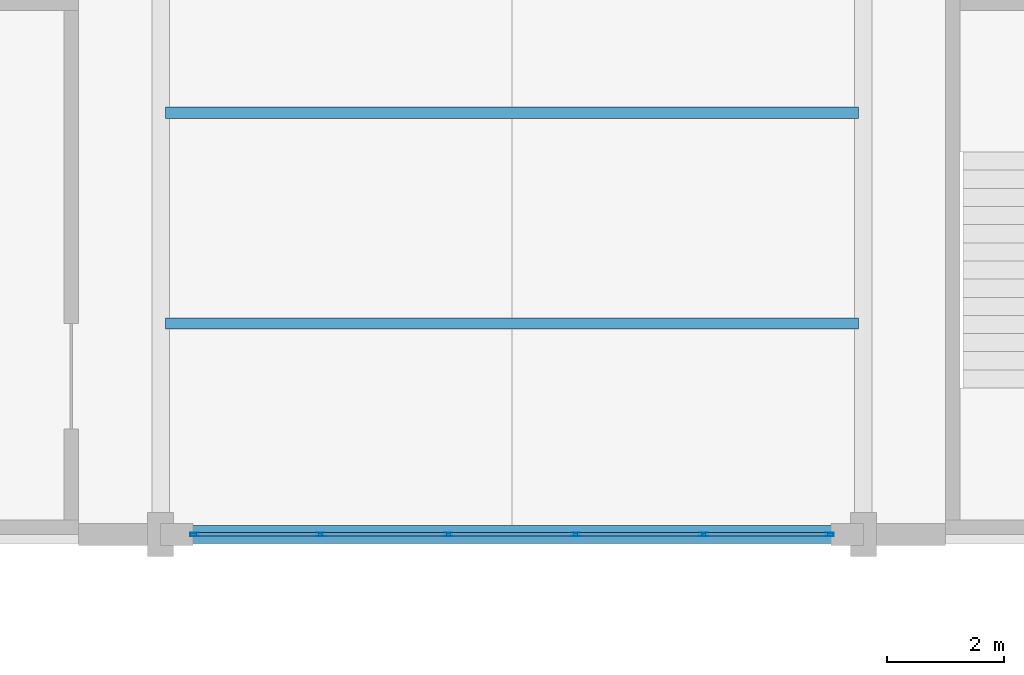
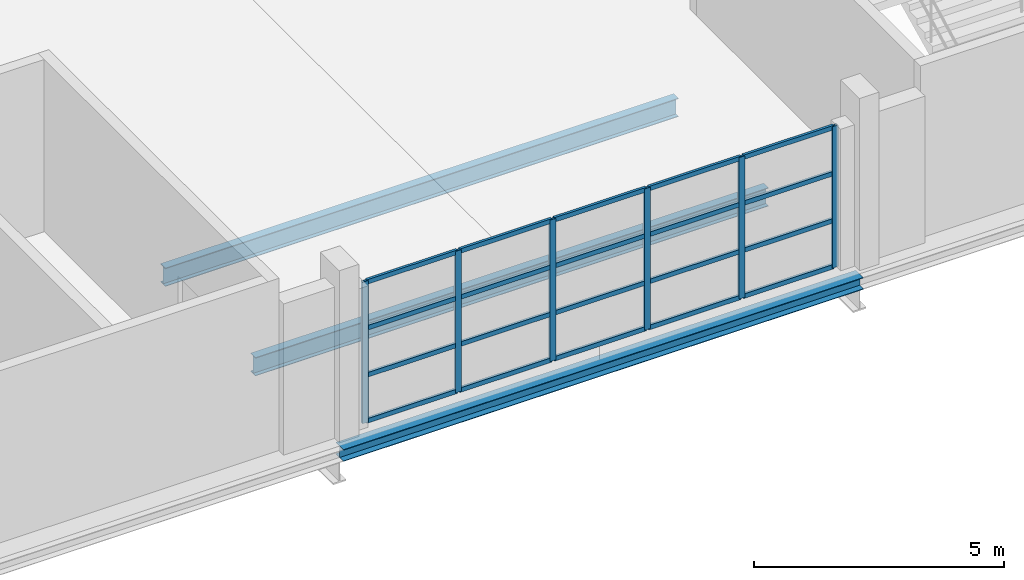
# One storey, part 91 of 147: 26 members, 3 beams, 1 element without a shape of its own.
"""IFC4 building model written with IfcOpenShell, lengths in metres."""

from ifc_helpers import new_model, si_unit, direction, frame, origin, origin_2d, place, context, subcontext, project, spatial, hollow_rectangle, i_section, extrude, material, layer, layer_set, material_profile, profile_set, type_object, element, aggregate, save


model = new_model("IFC4")

# Units and contexts
model_context = context("Model", 3, precision=1e-05, world=origin(), true_north=direction((0.0, 1.0)))
body_context = subcontext(model_context, "Body", "Model", "MODEL_VIEW")
ifc_project = project(units=[si_unit("LENGTHUNIT", "METRE"), si_unit("AREAUNIT", "SQUARE_METRE"), si_unit("VOLUMEUNIT", "CUBIC_METRE"), si_unit("PLANEANGLEUNIT", "RADIAN"), si_unit("MASSUNIT", "GRAM", prefix="KILO")], contexts=[model_context])

# Site, building, storey
site_placement = place(None, origin())
site = spatial("IfcSite", under=ifc_project, at=site_placement, CompositionType="ELEMENT")
building_placement = place(site_placement, origin())
building = spatial("IfcBuilding", under=site, at=building_placement, Name="Zilviju Railside Exhibition Hall", CompositionType="ELEMENT")
storey_placement = place(building_placement, frame((0.0, 0.0, 8.39990234375)))
storey = spatial("IfcBuildingStorey", under=building, at=storey_placement, Name="L03", CompositionType="ELEMENT", Elevation=8.39990234375)

# Beams
ifc_material_1 = material(Name="Steel S355J2", Category="steel")
ifc_material_profile_1 = material_profile(ifc_material_1, i_section(OverallWidth=0.300048828125, OverallDepth=0.2900390625, WebThickness=0.008544921875, FlangeThickness=0.013916015625, at=origin_2d()), Name="HEA 300")
ifc_profile_set_1 = profile_set([ifc_material_profile_1], Name="Steel S355J2")
beam_type_1 = type_object("IfcBeamType", Name="BM-HEA300", PredefinedType="SPANDREL", material=ifc_profile_set_1)
beam_placement = place(storey_placement, frame((144.0, 84.0, -0.52490234375), z_axis=(1.0, 0.0, 0.0), x_axis=(0.0, 1.0, 0.0)))
element("IfcBeam", 1, at=beam_placement, inside=storey, type_object=beam_type_1, Name="Primary Girder L03 Y=84.0 (144.0..156.0)", PredefinedType="SPANDREL", context=body_context, shape_type="SweptSolid", body=[
    extrude(i_section(OverallWidth=0.300048828125, OverallDepth=0.2900390625, WebThickness=0.008544921875, FlangeThickness=0.013916015625, at=origin_2d()), origin(), (0.0, 0.0, 1.0), 12.0),
])
ifc_material_profile_2 = material_profile(ifc_material_1, i_section(OverallWidth=0.18994140625, OverallDepth=0.449951171875, WebThickness=0.009521484375, FlangeThickness=0.0146484375, at=origin_2d()), Name="IPE 450")
ifc_profile_set_2 = profile_set([ifc_material_profile_2], Name="Steel S355J2")
beam_type_2 = type_object("IfcBeamType", Name="BM-IPE450", PredefinedType="JOIST", material=ifc_profile_set_2)
for number, where, z_axis, x_axis, name in (
    (2, (144.080078125, 87.60009765625, -0.60498046875), (1.0, 0.0, 0.0), (0.0, 1.0, 0.0), "Composite Floor Joist L03 Y=87.60 (144.0..156.0)"),
    (3, (144.080078125, 91.199951171875, -0.60498046875), (1.0, 0.0, 0.0), (0.0, 1.0, 0.0), "Composite Floor Joist L03 Y=91.20 (144.0..156.0)"),
):
    element("IfcBeam", number, at=place(storey_placement, frame(where, z_axis=z_axis, x_axis=x_axis)), inside=storey, type_object=beam_type_2, Name=name, PredefinedType="JOIST", context=body_context, shape_type="SweptSolid", body=[
        extrude(i_section(OverallWidth=0.18994140625, OverallDepth=0.449951171875, WebThickness=0.009521484375, FlangeThickness=0.0146484375, at=origin_2d()), origin(), (0.0, 0.0, 1.0), 11.83984375),
    ])

# Curtain wall, members
ifc_material_2 = material(Name="Thermally broken aluminium-steel triple-glazed curtain wall", Category="steel")
ifc_layer = layer(ifc_material_2, 0.179931640625)
ifc_layer_set = layer_set([ifc_layer], Name="Thermally broken aluminium-steel triple-glazed curtain wall")
curtain_wall_type = type_object("IfcCurtainWallType", Name="CW-BAY-01", PredefinedType="USERDEFINED", material=ifc_layer_set)
curtain_wall_placement = place(storey_placement, origin())
curtain_wall = element("IfcCurtainWall", 4, at=curtain_wall_placement, inside=storey, type_object=curtain_wall_type, Name="North Hall Garden Court Curtain Wall L03 (144..156)", ObjectType="GLAZED CURTAIN WALL", PredefinedType="USERDEFINED")
ifc_material_3 = material(Name="Thermally broken anodized aluminium mullion", Category="aluminium")
ifc_material_profile_3 = material_profile(ifc_material_3, hollow_rectangle(XDim=0.06005859375, YDim=0.139892578125, WallThickness=0.0048828125, at=origin_2d()), Name="MULLION 140x60x5")
ifc_profile_set_3 = profile_set([ifc_material_profile_3], Name="Thermally broken anodized aluminium mullion")
member_type_1 = type_object("IfcMemberType", Name="CWM-60x140", PredefinedType="MULLION", material=ifc_profile_set_3)
member_1_placement = place(storey_placement, frame((155.419921875, 84.0, 0.0), z_axis=(0.0, 0.0, 1.0), x_axis=(0.0, -1.0, 0.0)))
member_1 = element("IfcMember", 5, at=member_1_placement, type_object=member_type_1, Name="CW-01 mullion 1", PredefinedType="MULLION", context=body_context, shape_type="SweptSolid", body=[
    extrude(hollow_rectangle(XDim=0.06005859375, YDim=0.139892578125, WallThickness=0.0048828125, at=origin_2d()), origin(), (0.0, 0.0, 1.0), 3.4501953125),
])
member_2_placement = place(storey_placement, frame((153.27001953125, 84.0, 0.0), z_axis=(0.0, 0.0, 1.0), x_axis=(0.0, -1.0, 0.0)))
member_2 = element("IfcMember", 6, at=member_2_placement, type_object=member_type_1, Name="CW-01 mullion 2", PredefinedType="MULLION", context=body_context, shape_type="SweptSolid", body=[
    extrude(hollow_rectangle(XDim=0.06005859375, YDim=0.139892578125, WallThickness=0.0048828125, at=origin_2d()), origin(), (0.0, 0.0, 1.0), 3.4501953125),
])
member_3_placement = place(storey_placement, frame((151.090087890625, 84.0, 0.0), z_axis=(0.0, 0.0, 1.0), x_axis=(0.0, -1.0, 0.0)))
member_3 = element("IfcMember", 7, at=member_3_placement, type_object=member_type_1, Name="CW-01 mullion 3", PredefinedType="MULLION", context=body_context, shape_type="SweptSolid", body=[
    extrude(hollow_rectangle(XDim=0.06005859375, YDim=0.139892578125, WallThickness=0.0048828125, at=origin_2d()), origin(), (0.0, 0.0, 1.0), 3.4501953125),
])
member_4_placement = place(storey_placement, frame((148.909912109375, 84.0, 0.0), z_axis=(0.0, 0.0, 1.0), x_axis=(0.0, -1.0, 0.0)))
member_4 = element("IfcMember", 8, at=member_4_placement, type_object=member_type_1, Name="CW-01 mullion 4", PredefinedType="MULLION", context=body_context, shape_type="SweptSolid", body=[
    extrude(hollow_rectangle(XDim=0.06005859375, YDim=0.139892578125, WallThickness=0.0048828125, at=origin_2d()), origin(), (0.0, 0.0, 1.0), 3.4501953125),
])
member_5_placement = place(storey_placement, frame((146.72998046875, 84.0, 0.0), z_axis=(0.0, 0.0, 1.0), x_axis=(0.0, -1.0, 0.0)))
member_5 = element("IfcMember", 9, at=member_5_placement, type_object=member_type_1, Name="CW-01 mullion 5", PredefinedType="MULLION", context=body_context, shape_type="SweptSolid", body=[
    extrude(hollow_rectangle(XDim=0.06005859375, YDim=0.139892578125, WallThickness=0.0048828125, at=origin_2d()), origin(), (0.0, 0.0, 1.0), 3.4501953125),
])
member_6_placement = place(storey_placement, frame((144.580078125, 84.0, 0.0), z_axis=(0.0, 0.0, 1.0), x_axis=(0.0, -1.0, 0.0)))
member_6 = element("IfcMember", 10, at=member_6_placement, type_object=member_type_1, Name="CW-01 mullion 6", PredefinedType="MULLION", context=body_context, shape_type="SweptSolid", body=[
    extrude(hollow_rectangle(XDim=0.06005859375, YDim=0.139892578125, WallThickness=0.0048828125, at=origin_2d()), origin(), (0.0, 0.0, 1.0), 3.4501953125),
])
ifc_material_4 = material(Name="Thermally broken anodized aluminium transom", Category="aluminium")
ifc_material_profile_4 = material_profile(ifc_material_4, hollow_rectangle(XDim=0.06005859375, YDim=0.110107421875, WallThickness=0.0048828125, at=origin_2d()), Name="TRANSOM 110x60x5")
ifc_profile_set_4 = profile_set([ifc_material_profile_4], Name="Thermally broken anodized aluminium transom")
member_type_2 = type_object("IfcMemberType", Name="CWT-60x110", PredefinedType="USERDEFINED", material=ifc_profile_set_4)
member_7_placement = place(storey_placement, frame((155.389892578125, 84.0, 0.030029296875), z_axis=(-1.0, 0.0, 0.0), x_axis=(0.0, -1.0, 0.0)))
member_7 = element("IfcMember", 11, at=member_7_placement, type_object=member_type_2, Name="CW-01 transom 1.1", ObjectType="TRANSOM", PredefinedType="USERDEFINED", context=body_context, shape_type="SweptSolid", body=[
    extrude(hollow_rectangle(XDim=0.06005859375, YDim=0.110107421875, WallThickness=0.0048828125, at=origin_2d()), origin(), (0.0, 0.0, 1.0), 2.08984375),
])
member_8_placement = place(storey_placement, frame((155.389892578125, 84.0, 1.150146484375), z_axis=(-1.0, 0.0, 0.0), x_axis=(0.0, -1.0, 0.0)))
member_8 = element("IfcMember", 12, at=member_8_placement, type_object=member_type_2, Name="CW-01 transom 1.2", ObjectType="TRANSOM", PredefinedType="USERDEFINED", context=body_context, shape_type="SweptSolid", body=[
    extrude(hollow_rectangle(XDim=0.06005859375, YDim=0.110107421875, WallThickness=0.0048828125, at=origin_2d()), origin(), (0.0, 0.0, 1.0), 2.08984375),
])
member_9_placement = place(storey_placement, frame((155.389892578125, 84.0, 2.300048828125), z_axis=(-1.0, 0.0, 0.0), x_axis=(0.0, -1.0, 0.0)))
member_9 = element("IfcMember", 13, at=member_9_placement, type_object=member_type_2, Name="CW-01 transom 1.3", ObjectType="TRANSOM", PredefinedType="USERDEFINED", context=body_context, shape_type="SweptSolid", body=[
    extrude(hollow_rectangle(XDim=0.06005859375, YDim=0.110107421875, WallThickness=0.0048828125, at=origin_2d()), origin(), (0.0, 0.0, 1.0), 2.08984375),
])
member_10_placement = place(storey_placement, frame((155.389892578125, 84.0, 3.420166015625), z_axis=(-1.0, 0.0, 0.0), x_axis=(0.0, -1.0, 0.0)))
member_10 = element("IfcMember", 14, at=member_10_placement, type_object=member_type_2, Name="CW-01 transom 1.4", ObjectType="TRANSOM", PredefinedType="USERDEFINED", context=body_context, shape_type="SweptSolid", body=[
    extrude(hollow_rectangle(XDim=0.06005859375, YDim=0.110107421875, WallThickness=0.0048828125, at=origin_2d()), origin(), (0.0, 0.0, 1.0), 2.08984375),
])
member_11_placement = place(storey_placement, frame((153.239990234375, 84.0, 0.030029296875), z_axis=(-1.0, 0.0, 0.0), x_axis=(0.0, -1.0, 0.0)))
member_11 = element("IfcMember", 15, at=member_11_placement, type_object=member_type_2, Name="CW-01 transom 2.1", ObjectType="TRANSOM", PredefinedType="USERDEFINED", context=body_context, shape_type="SweptSolid", body=[
    extrude(hollow_rectangle(XDim=0.06005859375, YDim=0.110107421875, WallThickness=0.0048828125, at=origin_2d()), origin(), (0.0, 0.0, 1.0), 2.119873046875),
])
member_12_placement = place(storey_placement, frame((153.239990234375, 84.0, 1.150146484375), z_axis=(-1.0, 0.0, 0.0), x_axis=(0.0, -1.0, 0.0)))
member_12 = element("IfcMember", 16, at=member_12_placement, type_object=member_type_2, Name="CW-01 transom 2.2", ObjectType="TRANSOM", PredefinedType="USERDEFINED", context=body_context, shape_type="SweptSolid", body=[
    extrude(hollow_rectangle(XDim=0.06005859375, YDim=0.110107421875, WallThickness=0.0048828125, at=origin_2d()), origin(), (0.0, 0.0, 1.0), 2.119873046875),
])
member_13_placement = place(storey_placement, frame((153.239990234375, 84.0, 2.300048828125), z_axis=(-1.0, 0.0, 0.0), x_axis=(0.0, -1.0, 0.0)))
member_13 = element("IfcMember", 17, at=member_13_placement, type_object=member_type_2, Name="CW-01 transom 2.3", ObjectType="TRANSOM", PredefinedType="USERDEFINED", context=body_context, shape_type="SweptSolid", body=[
    extrude(hollow_rectangle(XDim=0.06005859375, YDim=0.110107421875, WallThickness=0.0048828125, at=origin_2d()), origin(), (0.0, 0.0, 1.0), 2.119873046875),
])
member_14_placement = place(storey_placement, frame((153.239990234375, 84.0, 3.420166015625), z_axis=(-1.0, 0.0, 0.0), x_axis=(0.0, -1.0, 0.0)))
member_14 = element("IfcMember", 18, at=member_14_placement, type_object=member_type_2, Name="CW-01 transom 2.4", ObjectType="TRANSOM", PredefinedType="USERDEFINED", context=body_context, shape_type="SweptSolid", body=[
    extrude(hollow_rectangle(XDim=0.06005859375, YDim=0.110107421875, WallThickness=0.0048828125, at=origin_2d()), origin(), (0.0, 0.0, 1.0), 2.119873046875),
])
member_15_placement = place(storey_placement, frame((151.06005859375, 84.0, 0.030029296875), z_axis=(-1.0, 0.0, 0.0), x_axis=(0.0, -1.0, 0.0)))
member_15 = element("IfcMember", 19, at=member_15_placement, type_object=member_type_2, Name="CW-01 transom 3.1", ObjectType="TRANSOM", PredefinedType="USERDEFINED", context=body_context, shape_type="SweptSolid", body=[
    extrude(hollow_rectangle(XDim=0.06005859375, YDim=0.110107421875, WallThickness=0.0048828125, at=origin_2d()), origin(), (0.0, 0.0, 1.0), 2.1201171875),
])
member_16_placement = place(storey_placement, frame((151.06005859375, 84.0, 1.150146484375), z_axis=(-1.0, 0.0, 0.0), x_axis=(0.0, -1.0, 0.0)))
member_16 = element("IfcMember", 20, at=member_16_placement, type_object=member_type_2, Name="CW-01 transom 3.2", ObjectType="TRANSOM", PredefinedType="USERDEFINED", context=body_context, shape_type="SweptSolid", body=[
    extrude(hollow_rectangle(XDim=0.06005859375, YDim=0.110107421875, WallThickness=0.0048828125, at=origin_2d()), origin(), (0.0, 0.0, 1.0), 2.1201171875),
])
member_17_placement = place(storey_placement, frame((151.06005859375, 84.0, 2.300048828125), z_axis=(-1.0, 0.0, 0.0), x_axis=(0.0, -1.0, 0.0)))
member_17 = element("IfcMember", 21, at=member_17_placement, type_object=member_type_2, Name="CW-01 transom 3.3", ObjectType="TRANSOM", PredefinedType="USERDEFINED", context=body_context, shape_type="SweptSolid", body=[
    extrude(hollow_rectangle(XDim=0.06005859375, YDim=0.110107421875, WallThickness=0.0048828125, at=origin_2d()), origin(), (0.0, 0.0, 1.0), 2.1201171875),
])
member_18_placement = place(storey_placement, frame((151.06005859375, 84.0, 3.420166015625), z_axis=(-1.0, 0.0, 0.0), x_axis=(0.0, -1.0, 0.0)))
member_18 = element("IfcMember", 22, at=member_18_placement, type_object=member_type_2, Name="CW-01 transom 3.4", ObjectType="TRANSOM", PredefinedType="USERDEFINED", context=body_context, shape_type="SweptSolid", body=[
    extrude(hollow_rectangle(XDim=0.06005859375, YDim=0.110107421875, WallThickness=0.0048828125, at=origin_2d()), origin(), (0.0, 0.0, 1.0), 2.1201171875),
])
member_19_placement = place(storey_placement, frame((148.8798828125, 84.0, 0.030029296875), z_axis=(-1.0, 0.0, 0.0), x_axis=(0.0, -1.0, 0.0)))
member_19 = element("IfcMember", 23, at=member_19_placement, type_object=member_type_2, Name="CW-01 transom 4.1", ObjectType="TRANSOM", PredefinedType="USERDEFINED", context=body_context, shape_type="SweptSolid", body=[
    extrude(hollow_rectangle(XDim=0.06005859375, YDim=0.110107421875, WallThickness=0.0048828125, at=origin_2d()), origin(), (0.0, 0.0, 1.0), 2.119873046875),
])
member_20_placement = place(storey_placement, frame((148.8798828125, 84.0, 1.150146484375), z_axis=(-1.0, 0.0, 0.0), x_axis=(0.0, -1.0, 0.0)))
member_20 = element("IfcMember", 24, at=member_20_placement, type_object=member_type_2, Name="CW-01 transom 4.2", ObjectType="TRANSOM", PredefinedType="USERDEFINED", context=body_context, shape_type="SweptSolid", body=[
    extrude(hollow_rectangle(XDim=0.06005859375, YDim=0.110107421875, WallThickness=0.0048828125, at=origin_2d()), origin(), (0.0, 0.0, 1.0), 2.119873046875),
])
member_21_placement = place(storey_placement, frame((148.8798828125, 84.0, 2.300048828125), z_axis=(-1.0, 0.0, 0.0), x_axis=(0.0, -1.0, 0.0)))
member_21 = element("IfcMember", 25, at=member_21_placement, type_object=member_type_2, Name="CW-01 transom 4.3", ObjectType="TRANSOM", PredefinedType="USERDEFINED", context=body_context, shape_type="SweptSolid", body=[
    extrude(hollow_rectangle(XDim=0.06005859375, YDim=0.110107421875, WallThickness=0.0048828125, at=origin_2d()), origin(), (0.0, 0.0, 1.0), 2.119873046875),
])
member_22_placement = place(storey_placement, frame((148.8798828125, 84.0, 3.420166015625), z_axis=(-1.0, 0.0, 0.0), x_axis=(0.0, -1.0, 0.0)))
member_22 = element("IfcMember", 26, at=member_22_placement, type_object=member_type_2, Name="CW-01 transom 4.4", ObjectType="TRANSOM", PredefinedType="USERDEFINED", context=body_context, shape_type="SweptSolid", body=[
    extrude(hollow_rectangle(XDim=0.06005859375, YDim=0.110107421875, WallThickness=0.0048828125, at=origin_2d()), origin(), (0.0, 0.0, 1.0), 2.119873046875),
])
member_23_placement = place(storey_placement, frame((146.699951171875, 84.0, 0.030029296875), z_axis=(-1.0, 0.0, 0.0), x_axis=(0.0, -1.0, 0.0)))
member_23 = element("IfcMember", 27, at=member_23_placement, type_object=member_type_2, Name="CW-01 transom 5.1", ObjectType="TRANSOM", PredefinedType="USERDEFINED", context=body_context, shape_type="SweptSolid", body=[
    extrude(hollow_rectangle(XDim=0.06005859375, YDim=0.110107421875, WallThickness=0.0048828125, at=origin_2d()), origin(), (0.0, 0.0, 1.0), 2.08984375),
])
member_24_placement = place(storey_placement, frame((146.699951171875, 84.0, 1.150146484375), z_axis=(-1.0, 0.0, 0.0), x_axis=(0.0, -1.0, 0.0)))
member_24 = element("IfcMember", 28, at=member_24_placement, type_object=member_type_2, Name="CW-01 transom 5.2", ObjectType="TRANSOM", PredefinedType="USERDEFINED", context=body_context, shape_type="SweptSolid", body=[
    extrude(hollow_rectangle(XDim=0.06005859375, YDim=0.110107421875, WallThickness=0.0048828125, at=origin_2d()), origin(), (0.0, 0.0, 1.0), 2.08984375),
])
member_25_placement = place(storey_placement, frame((146.699951171875, 84.0, 2.300048828125), z_axis=(-1.0, 0.0, 0.0), x_axis=(0.0, -1.0, 0.0)))
member_25 = element("IfcMember", 29, at=member_25_placement, type_object=member_type_2, Name="CW-01 transom 5.3", ObjectType="TRANSOM", PredefinedType="USERDEFINED", context=body_context, shape_type="SweptSolid", body=[
    extrude(hollow_rectangle(XDim=0.06005859375, YDim=0.110107421875, WallThickness=0.0048828125, at=origin_2d()), origin(), (0.0, 0.0, 1.0), 2.08984375),
])
member_26_placement = place(storey_placement, frame((146.699951171875, 84.0, 3.420166015625), z_axis=(-1.0, 0.0, 0.0), x_axis=(0.0, -1.0, 0.0)))
member_26 = element("IfcMember", 30, at=member_26_placement, type_object=member_type_2, Name="CW-01 transom 5.4", ObjectType="TRANSOM", PredefinedType="USERDEFINED", context=body_context, shape_type="SweptSolid", body=[
    extrude(hollow_rectangle(XDim=0.06005859375, YDim=0.110107421875, WallThickness=0.0048828125, at=origin_2d()), origin(), (0.0, 0.0, 1.0), 2.08984375),
])
aggregate(curtain_wall, [member_1, member_2, member_3, member_4, member_5, member_6, member_7, member_8, member_9, member_10, member_11, member_12, member_13, member_14, member_15, member_16, member_17, member_18, member_19, member_20, member_21, member_22, member_23, member_24, member_25, member_26])

save(model, "model.ifc")
